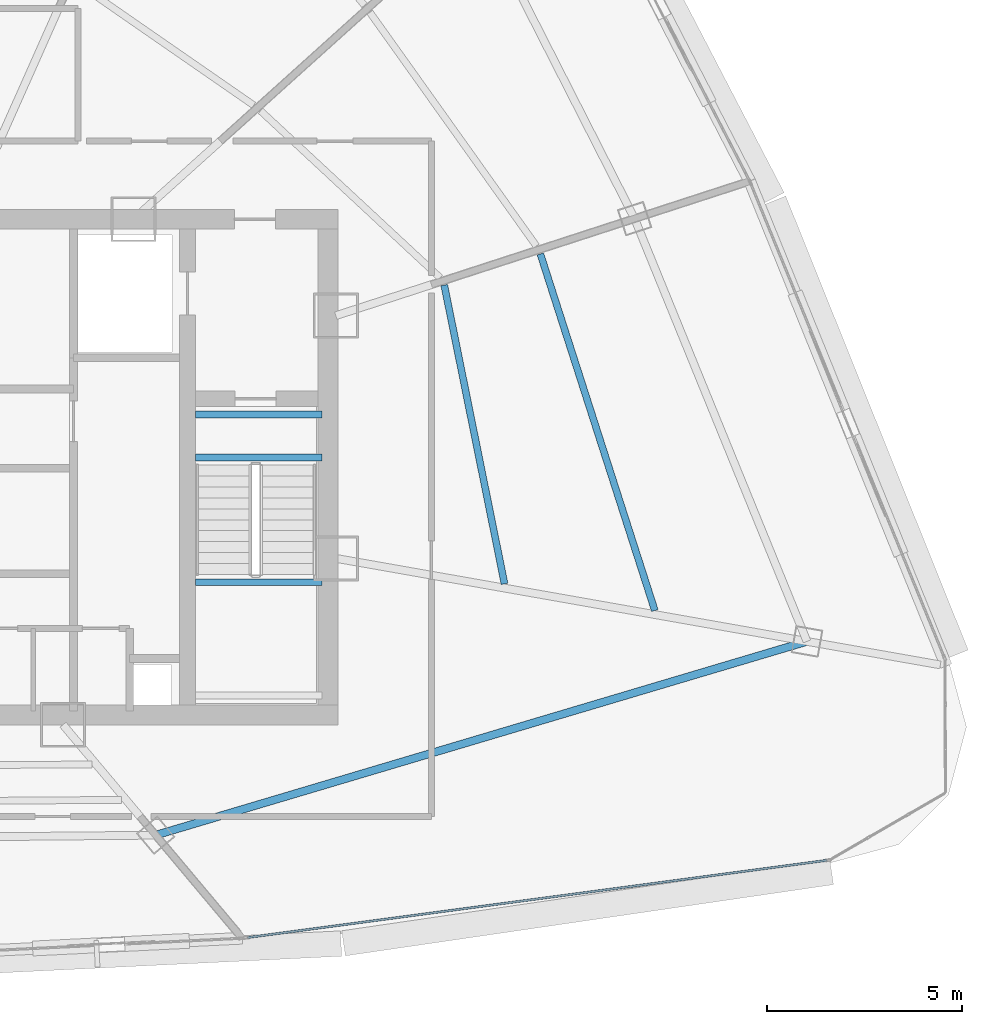
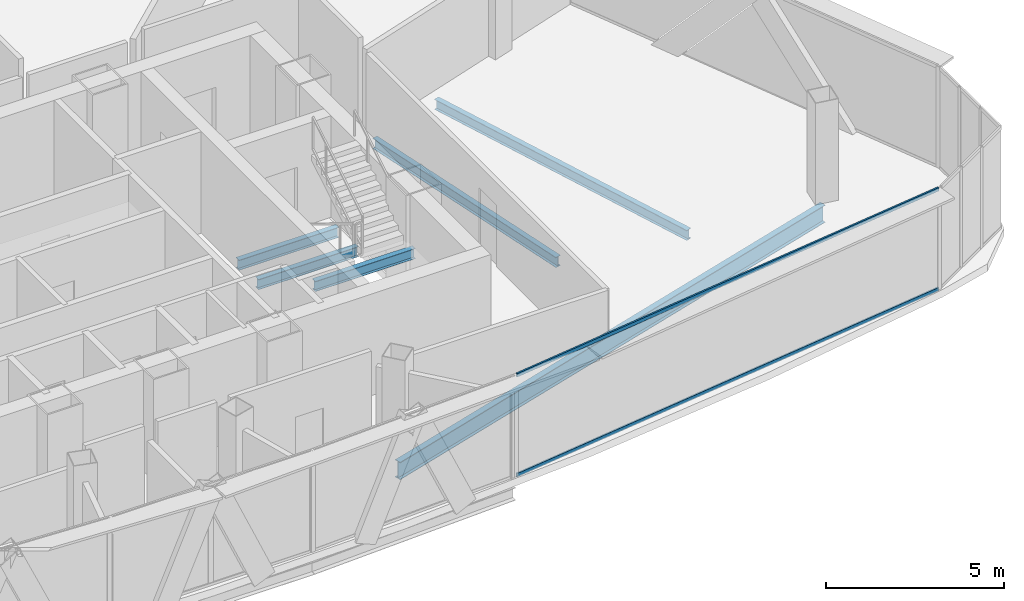
# One storey, part 12 of 26: 6 beams, 2 members, 1 element without a shape of its own.
"""IFC4 building model written with IfcOpenShell, lengths in metres."""

from ifc_helpers import new_model, si_unit, direction, frame, origin, origin_2d, place, context, subcontext, project, spatial, hollow_rectangle, i_section, extrude, source, transform, mapped, material, layer, layer_set, material_profile, profile_set, type_object, element, aggregate, save


model = new_model("IFC4")

# Units and contexts
model_context = context("Model", 3, precision=1e-05, world=origin(), true_north=direction((0.0, 1.0)))
body_context = subcontext(model_context, "Body", "Model", "MODEL_VIEW")
ifc_project = project(units=[si_unit("LENGTHUNIT", "METRE"), si_unit("AREAUNIT", "SQUARE_METRE"), si_unit("VOLUMEUNIT", "CUBIC_METRE"), si_unit("PLANEANGLEUNIT", "RADIAN"), si_unit("MASSUNIT", "GRAM", prefix="KILO"), si_unit("THERMODYNAMICTEMPERATUREUNIT", "KELVIN"), si_unit("POWERUNIT", "WATT")], contexts=[model_context])

# Site, building, storey
site_placement = place(None, origin())
site = spatial("IfcSite", under=ifc_project, at=site_placement, CompositionType="ELEMENT")
building_placement = place(site_placement, origin())
building = spatial("IfcBuilding", under=site, at=building_placement, Name="Yunzhuo Pagoda Commons", CompositionType="ELEMENT")
storey_placement = place(building_placement, frame((0.0, 0.0, 340.510009765625)))
storey = spatial("IfcBuildingStorey", under=building, at=storey_placement, Name="L85", CompositionType="ELEMENT", Elevation=340.510009765625)

# Beams
ifc_material_1 = material(Name="Structural steel Q355B", Category="steel")
ifc_material_profile_1 = material_profile(ifc_material_1, i_section(OverallWidth=0.175048828125, OverallDepth=0.35009765625, WebThickness=0.007080078125, FlangeThickness=0.010986328125, at=origin_2d()), Name="Structural steel Q355B")
ifc_profile_set_1 = profile_set([ifc_material_profile_1], Name="Structural steel Q355B")
beam_type_1 = type_object("IfcBeamType", Name="B-JS2 Joist HN 350x175x7x11", PredefinedType="JOIST", material=ifc_profile_set_1)
shared_shape_1 = source(origin(), body_context, "Body", "SweptSolid", [
    extrude(i_section(OverallWidth=0.175048828125, OverallDepth=0.35009765625, WebThickness=0.007080078125, FlangeThickness=0.010986328125, at=origin_2d()), origin(), (0.0, 0.0, 1.0), 3.25),
])
for number, where, z_axis, x_axis, name in (
    (1, (56.800048828125, 30.89990234375, 1.5), (1.0, 0.0, 0.0), (0.0, 1.0, 0.0), "L85 ST2 landing support beam 91B"),
    (2, (56.800048828125, 34.10009765625, -0.375), (1.0, 0.0, 0.0), (0.0, 1.0, 0.0), "L85 ST2 landing support beam 189A"),
    (3, (56.800048828125, 35.199951171875, -0.375), (1.0, 0.0, 0.0), (0.0, 1.0, 0.0), "L85 ST2 landing support beam 189B"),
):
    element("IfcBeam", number, at=place(storey_placement, frame(where, z_axis=z_axis, x_axis=x_axis)), inside=storey, type_object=beam_type_1, Name=name, PredefinedType="JOIST", context=body_context, shape_type="MappedRepresentation", body=[
        mapped(shared_shape_1, transform((0.0, 0.0, 0.0), scale=1.0)),
    ])
ifc_material_profile_2 = material_profile(ifc_material_1, i_section(OverallWidth=0.199951171875, OverallDepth=0.60009765625, WebThickness=0.010986328125, FlangeThickness=0.01708984375, at=origin_2d()), Name="Structural steel Q355B")
ifc_profile_set_2 = profile_set([ifc_material_profile_2], Name="Structural steel Q355B")
beam_type_2 = type_object("IfcBeamType", Name="B-RG3 Beam HN 600x200x11x17", PredefinedType="BEAM", material=ifc_profile_set_2)
shared_shape_2 = source(origin(), body_context, "Body", "SweptSolid", [
    extrude(i_section(OverallWidth=0.199951171875, OverallDepth=0.60009765625, WebThickness=0.010986328125, FlangeThickness=0.01708984375, at=origin_2d()), origin(), (0.0, 0.0, 1.0), 17.407470703125),
])
beam_1_placement = place(storey_placement, frame((55.785400390625, 24.421630859375, -0.56005859375), z_axis=(0.958484984609, 0.285143006717, 0.0), x_axis=(-0.285143006717, 0.958484984609, 0.0)))
element("IfcBeam", 4, at=beam_1_placement, inside=storey, type_object=beam_type_2, Name="L85 column-ring beam 4", PredefinedType="BEAM", context=body_context, shape_type="MappedRepresentation", body=[
    mapped(shared_shape_2, transform((0.0, 0.0, 0.0), scale=1.0)),
])
shared_shape_3 = source(origin(), body_context, "Body", "SweptSolid", [
    extrude(i_section(OverallWidth=0.175048828125, OverallDepth=0.35009765625, WebThickness=0.007080078125, FlangeThickness=0.010986328125, at=origin_2d()), origin(), (0.0, 0.0, 1.0), 7.8056640625),
])
beam_2_placement = place(storey_placement, frame((64.722412109375, 30.860107421875, -0.43505859375), z_axis=(-0.197830082137, 0.980236327934, 0.0), x_axis=(-0.980236327934, -0.197830082137, 0.0)))
element("IfcBeam", 5, at=beam_2_placement, inside=storey, type_object=beam_type_1, Name="L85 composite ring joist 1.5", PredefinedType="JOIST", context=body_context, shape_type="MappedRepresentation", body=[
    mapped(shared_shape_3, transform((0.0, 0.0, 0.0), scale=1.0)),
])
shared_shape_4 = source(origin(), body_context, "Body", "SweptSolid", [
    extrude(i_section(OverallWidth=0.175048828125, OverallDepth=0.35009765625, WebThickness=0.007080078125, FlangeThickness=0.010986328125, at=origin_2d()), origin(), (0.0, 0.0, 1.0), 9.593994140625),
])
beam_3_placement = place(storey_placement, frame((68.572509765625, 30.17578125, -0.43505859375), z_axis=(-0.305719218499, 0.952121714614, 0.0), x_axis=(-0.952121714614, -0.305719218499, 0.0)))
element("IfcBeam", 6, at=beam_3_placement, inside=storey, type_object=beam_type_1, Name="L85 composite ring joist 2.5", PredefinedType="JOIST", context=body_context, shape_type="MappedRepresentation", body=[
    mapped(shared_shape_4, transform((0.0, 0.0, 0.0), scale=1.0)),
])

# Curtain wall, members
ifc_material_2 = material(Name="Anodized aluminium 6063-T6", Category="aluminium")
ifc_layer = layer(ifc_material_2, 0.139892578125)
ifc_layer_set = layer_set([ifc_layer], Name="Anodized aluminium 6063-T6")
curtain_wall_type = type_object("IfcCurtainWallType", Name="CW-HI High-Zone Ribbon Curtain Wall", PredefinedType="NOTDEFINED", material=ifc_layer_set)
curtain_wall_placement = place(storey_placement, origin())
curtain_wall = element("IfcCurtainWall", 7, at=curtain_wall_placement, inside=storey, type_object=curtain_wall_type, Name="L85 curtain wall CW-L85-F1B5", PredefinedType="NOTDEFINED")
ifc_material_profile_3 = material_profile(ifc_material_2, hollow_rectangle(XDim=0.054931640625, YDim=0.1201171875, WallThickness=0.00341796875, at=origin_2d()), Name="Anodized aluminium 6063-T6")
ifc_profile_set_3 = profile_set([ifc_material_profile_3], Name="Anodized aluminium 6063-T6")
member_type = type_object("IfcMemberType", Name="CW-HI-T Transom RHS 120x55x3.5", PredefinedType="USERDEFINED", material=ifc_profile_set_3)
shared_shape_5 = source(origin(), body_context, "Body", "SweptSolid", [
    extrude(hollow_rectangle(XDim=0.054931640625, YDim=0.1201171875, WallThickness=0.00341796875, at=origin_2d()), origin(), (0.0, 0.0, 1.0), 14.9833984375),
])
member_1_placement = place(storey_placement, frame((58.134765625, 21.79931640625, 0.027587890625), z_axis=(0.9912411303, 0.132064460024, 0.0), x_axis=(-0.132064460024, 0.9912411303, 0.0)))
member_1 = element("IfcMember", 8, at=member_1_placement, type_object=member_type, Name="CW transom 1.1", ObjectType="TRANSOM", PredefinedType="USERDEFINED", context=body_context, shape_type="MappedRepresentation", body=[
    mapped(shared_shape_5, transform((0.0, 0.0, 0.0), scale=1.0)),
])
member_2_placement = place(storey_placement, frame((58.134765625, 21.79931640625, 3.46240234375), z_axis=(0.9912411303, 0.132064460024, 0.0), x_axis=(-0.132064460024, 0.9912411303, 0.0)))
member_2 = element("IfcMember", 9, at=member_2_placement, type_object=member_type, Name="CW transom 1.2", ObjectType="TRANSOM", PredefinedType="USERDEFINED", context=body_context, shape_type="MappedRepresentation", body=[
    mapped(shared_shape_5, transform((0.0, 0.0, 0.0), scale=1.0)),
])
aggregate(curtain_wall, [member_1, member_2])

save(model, "model.ifc")
